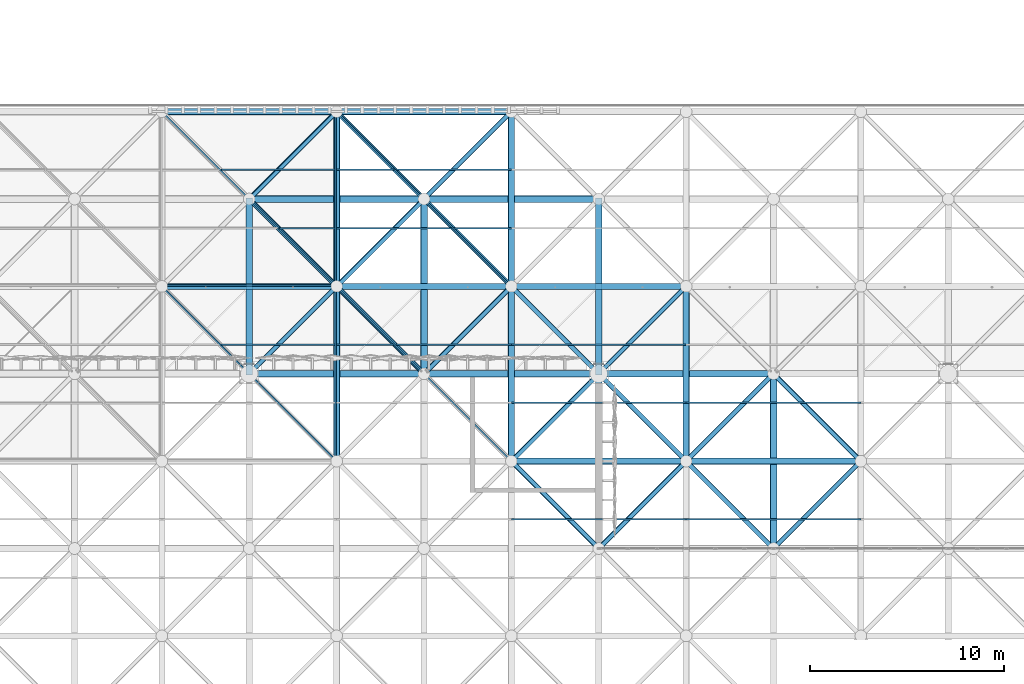
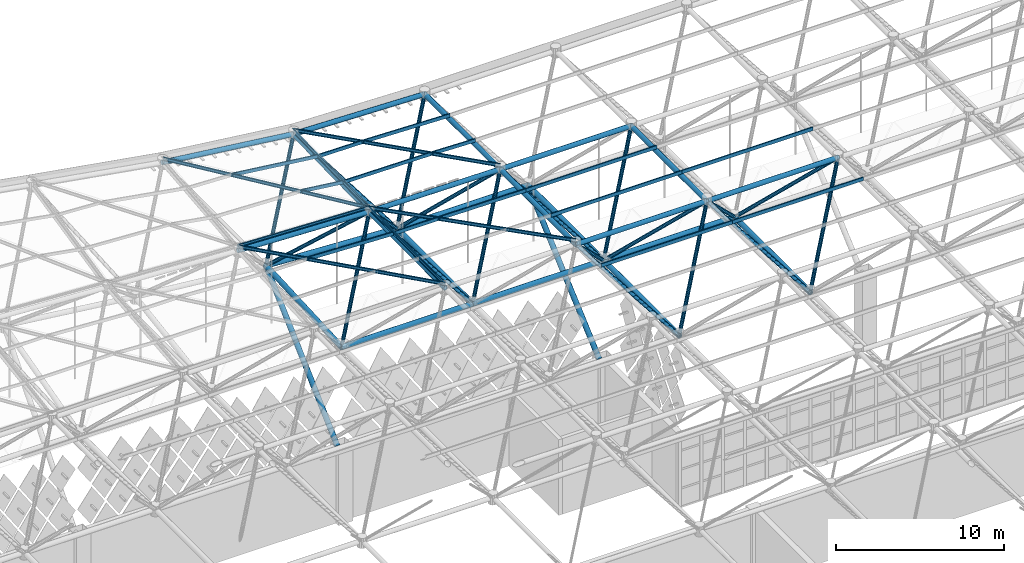
# One storey, part 162 of 437: 64 members.
"""IFC4 building model written with IfcOpenShell, lengths in metres."""

from ifc_helpers import new_model, si_unit, direction, frame, origin, origin_2d, place, context, subcontext, project, spatial, polyline, hollow_circle, outline, extrude, material, material_profile, profile_set, type_object, element, save


model = new_model("IFC4")

# Units and contexts
model_context = context("Model", 3, precision=1e-05, world=origin(), true_north=direction((0.0, 1.0)))
body_context = subcontext(model_context, "Body", "Model", "MODEL_VIEW")
ifc_project = project(units=[si_unit("LENGTHUNIT", "METRE"), si_unit("AREAUNIT", "SQUARE_METRE"), si_unit("VOLUMEUNIT", "CUBIC_METRE"), si_unit("PLANEANGLEUNIT", "RADIAN"), si_unit("MASSUNIT", "GRAM", prefix="KILO")], contexts=[model_context])

# Site, building, storey
site_placement = place(None, origin())
site = spatial("IfcSite", under=ifc_project, at=site_placement, CompositionType="ELEMENT")
building_placement = place(site_placement, origin())
building = spatial("IfcBuilding", under=site, at=building_placement, Name="Opaline Strait Convention Centre", CompositionType="ELEMENT")
storey_placement = place(building_placement, frame((0.0, 0.0, 11.5)))
storey = spatial("IfcBuildingStorey", under=building, at=storey_placement, Name="L02", CompositionType="ELEMENT", Elevation=11.5)

# Members
ifc_material = material(Name="Steel Q355B", Category="steel")
ifc_material_profile_1 = material_profile(ifc_material, hollow_circle(Radius=0.175537109375, WallThickness=0.01611328125, at=origin_2d()), Name="CHS 351x16")
ifc_profile_set_1 = profile_set([ifc_material_profile_1], Name="Steel Q355B")
member_type_1 = type_object("IfcMemberType", Name="Raking prop CHS 351x16", PredefinedType="BRACE", material=ifc_profile_set_1)
member_1_placement = place(storey_placement, frame((135.0, 153.51611328125, 5.014892578125), z_axis=(0.0, 0.72992125999, 0.683531238653), x_axis=(-1.0, 0.0, 0.0)))
element("IfcMember", 1, at=member_1_placement, inside=storey, type_object=member_type_1, Name="Raking prop 135/153 N", PredefinedType="BRACE", context=body_context, shape_type="SweptSolid", body=[
    extrude(hollow_circle(Radius=0.175537109375, WallThickness=0.01611328125, at=origin_2d()), origin(), (0.0, 0.0, 1.0), 11.6728515625),
])
member_2_placement = place(storey_placement, frame((153.0, 153.51611328125, 5.01416015625), z_axis=(0.0, 0.749834093781, 0.661625900191), x_axis=(-1.0, 0.0, 0.0)))
element("IfcMember", 2, at=member_2_placement, inside=storey, type_object=member_type_1, Name="Raking prop 153/153 N", PredefinedType="BRACE", context=body_context, shape_type="SweptSolid", body=[
    extrude(hollow_circle(Radius=0.175537109375, WallThickness=0.01611328125, at=origin_2d()), origin(), (0.0, 0.0, 1.0), 11.364501953125),
])
ifc_material_profile_2 = material_profile(ifc_material, outline(polyline([(-0.03759765625, -0.125), (0.03759765625, -0.125), (0.03759765625, -0.10498046875), (0.034912109375, -0.10498046875), (0.034912109375, -0.12255859375), (-0.034912109375, -0.12255859375), (-0.034912109375, 0.12255859375), (0.034912109375, 0.12255859375), (0.034912109375, 0.10498046875), (0.03759765625, 0.10498046875), (0.03759765625, 0.125), (-0.03759765625, 0.125), (-0.03759765625, -0.125)])), Name="C 250x75x20x2.5")
ifc_profile_set_2 = profile_set([ifc_material_profile_2], Name="Steel Q355B")
member_type_2 = type_object("IfcMemberType", Name="Roof purlin C 250x75x20x2.5", PredefinedType="PURLIN", material=ifc_profile_set_2)
for number, where, z_axis, x_axis, name in (
    (3, (148.5, 145.5, 18.257080078125), (1.0, 0.0, 0.0), (0.0, 1.0, 0.0), "EXB-RF-P-7-11-1"),
    (4, (157.5, 145.5, 18.257080078125), (1.0, 0.0, 0.0), (0.0, 1.0, 0.0), "EXB-RF-P-8-11-1"),
):
    element("IfcMember", number, at=place(storey_placement, frame(where, z_axis=z_axis, x_axis=x_axis)), inside=storey, type_object=member_type_2, Name=name, PredefinedType="PURLIN", context=body_context, shape_type="SweptSolid", body=[
        extrude(outline(polyline([(-0.03759765625, -0.125), (0.03759765625, -0.125), (0.03759765625, -0.10498046875), (0.034912109375, -0.10498046875), (0.034912109375, -0.12255859375), (-0.034912109375, -0.12255859375), (-0.034912109375, 0.12255859375), (0.034912109375, 0.12255859375), (0.034912109375, 0.10498046875), (0.03759765625, 0.10498046875), (0.03759765625, 0.125), (-0.03759765625, 0.125), (-0.03759765625, -0.125)])), origin(), (0.0, 0.0, 1.0), 9.0),
    ])
member_3_placement = place(storey_placement, frame((139.5, 148.5, 18.25537109375), z_axis=(-0.706754608869, 0.706754608869, 0.031557022738), x_axis=(-0.707458778193, -0.706051128284, -0.031525884719)))
element("IfcMember", 5, at=member_3_placement, inside=storey, type_object=member_type_2, Name="EXB-RF-F-5-12", PredefinedType="PURLIN", context=body_context, shape_type="SweptSolid", body=[
    extrude(outline(polyline([(-0.03759765625, -0.125), (0.03759765625, -0.125), (0.03759765625, -0.10498046875), (0.034912109375, -0.10498046875), (0.034912109375, -0.12255859375), (-0.034912109375, -0.12255859375), (-0.034912109375, 0.12255859375), (0.034912109375, 0.12255859375), (0.034912109375, 0.10498046875), (0.03759765625, 0.10498046875), (0.03759765625, 0.125), (-0.03759765625, 0.125), (-0.03759765625, -0.125)])), origin(), (0.0, 0.0, 1.0), 12.734375),
])
member_4_placement = place(storey_placement, frame((139.45556640625, 148.449951171875, 18.25830078125), z_axis=(0.0, 0.999973571083, 0.007270291296), x_axis=(-0.999302242213, -0.000271545984, 0.037349095988)))
element("IfcMember", 6, at=member_4_placement, inside=storey, type_object=member_type_2, Name="EXB-RF-E-5-12a", PredefinedType="PURLIN", context=body_context, shape_type="SweptSolid", body=[
    extrude(outline(polyline([(-0.03759765625, -0.125), (0.03759765625, -0.125), (0.03759765625, -0.10498046875), (0.034912109375, -0.10498046875), (0.034912109375, -0.12255859375), (-0.034912109375, -0.12255859375), (-0.034912109375, 0.12255859375), (0.034912109375, 0.12255859375), (0.034912109375, 0.10498046875), (0.03759765625, 0.10498046875), (0.03759765625, 0.125), (-0.03759765625, 0.125), (-0.03759765625, -0.125)])), origin(), (0.0, 0.0, 1.0), 9.100341796875),
])
member_5_placement = place(storey_placement, frame((133.550048828125, 154.5, 18.523193359375), z_axis=(0.999301908051, 0.0, -0.037359022553), x_axis=(0.00027176702, 0.999973540706, 0.007269389915)))
element("IfcMember", 7, at=member_5_placement, inside=storey, type_object=member_type_2, Name="EXB-RF-P-5-12-1a", PredefinedType="PURLIN", context=body_context, shape_type="SweptSolid", body=[
    extrude(outline(polyline([(-0.03759765625, -0.125), (0.03759765625, -0.125), (0.03759765625, -0.10498046875), (0.034912109375, -0.10498046875), (0.034912109375, -0.12255859375), (-0.034912109375, -0.12255859375), (-0.034912109375, 0.12255859375), (0.034912109375, 0.12255859375), (0.034912109375, 0.10498046875), (0.03759765625, 0.10498046875), (0.03759765625, 0.125), (-0.03759765625, 0.125), (-0.03759765625, -0.125)])), origin(), (0.0, 0.0, 1.0), 5.875),
])
member_6_placement = place(storey_placement, frame((148.5, 148.5, 18.256591796875), z_axis=(-0.7070974383, 0.7070974383, 0.005140573824), x_axis=(-0.707116123947, -0.707078731646, -0.005143394667)))
element("IfcMember", 8, at=member_6_placement, inside=storey, type_object=member_type_2, Name="EXB-RF-F-6-12", PredefinedType="PURLIN", context=body_context, shape_type="SweptSolid", body=[
    extrude(outline(polyline([(-0.03759765625, -0.125), (0.03759765625, -0.125), (0.03759765625, -0.10498046875), (0.034912109375, -0.10498046875), (0.034912109375, -0.12255859375), (-0.034912109375, -0.12255859375), (-0.034912109375, 0.12255859375), (0.034912109375, 0.12255859375), (0.034912109375, 0.10498046875), (0.03759765625, 0.10498046875), (0.03759765625, 0.125), (-0.03759765625, 0.125), (-0.03759765625, -0.125)])), origin(), (0.0, 0.0, 1.0), 12.72802734375),
])
member_7_placement = place(storey_placement, frame((142.550048828125, 154.5, 18.30029296875), z_axis=(0.999973627418, 0.0, -0.007262538757), x_axis=(0.0, 1.0, 0.0)))
element("IfcMember", 9, at=member_7_placement, inside=storey, type_object=member_type_2, Name="EXB-RF-P-6-12-1a", PredefinedType="PURLIN", context=body_context, shape_type="SweptSolid", body=[
    extrude(outline(polyline([(-0.03759765625, -0.125), (0.03759765625, -0.125), (0.03759765625, -0.10498046875), (0.034912109375, -0.10498046875), (0.034912109375, -0.12255859375), (-0.034912109375, -0.12255859375), (-0.034912109375, 0.12255859375), (0.034912109375, 0.12255859375), (0.034912109375, 0.10498046875), (0.03759765625, 0.10498046875), (0.03759765625, 0.125), (-0.03759765625, 0.125), (-0.03759765625, -0.125)])), origin(), (0.0, 0.0, 1.0), 5.9501953125),
])
member_8_placement = place(storey_placement, frame((139.5, 154.5, 18.300537109375), z_axis=(1.0, 0.0, 0.0), x_axis=(0.0, 0.999973540706, 0.007274468163)))
element("IfcMember", 10, at=member_8_placement, inside=storey, type_object=member_type_2, Name="EXB-RF-P-6-12-1b", PredefinedType="PURLIN", context=body_context, shape_type="SweptSolid", body=[
    extrude(outline(polyline([(-0.03759765625, -0.125), (0.03759765625, -0.125), (0.03759765625, -0.10498046875), (0.034912109375, -0.10498046875), (0.034912109375, -0.12255859375), (-0.034912109375, -0.12255859375), (-0.034912109375, 0.12255859375), (0.034912109375, 0.12255859375), (0.034912109375, 0.10498046875), (0.03759765625, 0.10498046875), (0.03759765625, 0.125), (-0.03759765625, 0.125), (-0.03759765625, -0.125)])), origin(), (0.0, 0.0, 1.0), 2.949951171875),
])
for number, where, z_axis, x_axis, name in (
    (11, (148.5, 151.5, 18.257080078125), (1.0, 0.0, 0.0), (0.0, 1.0, 0.0), "EXB-RF-P-7-12-0"),
    (12, (148.5, 154.5, 18.257080078125), (1.0, 0.0, 0.0), (0.0, 1.0, 0.0), "EXB-RF-P-7-12-1"),
    (13, (157.5, 151.5, 18.257080078125), (1.0, 0.0, 0.0), (0.0, 1.0, 0.0), "EXB-RF-P-8-12-0"),
):
    element("IfcMember", number, at=place(storey_placement, frame(where, z_axis=z_axis, x_axis=x_axis)), inside=storey, type_object=member_type_2, Name=name, PredefinedType="PURLIN", context=body_context, shape_type="SweptSolid", body=[
        extrude(outline(polyline([(-0.03759765625, -0.125), (0.03759765625, -0.125), (0.03759765625, -0.10498046875), (0.034912109375, -0.10498046875), (0.034912109375, -0.12255859375), (-0.034912109375, -0.12255859375), (-0.034912109375, 0.12255859375), (0.034912109375, 0.12255859375), (0.034912109375, 0.10498046875), (0.03759765625, 0.10498046875), (0.03759765625, 0.125), (-0.03759765625, 0.125), (-0.03759765625, -0.125)])), origin(), (0.0, 0.0, 1.0), 9.0),
    ])
member_9_placement = place(storey_placement, frame((139.5, 157.5, 18.31982421875), z_axis=(-0.703588662414, 0.703588662414, 0.099629253955), x_axis=(-0.709635656361, -0.703016428471, -0.046745443856)))
element("IfcMember", 14, at=member_9_placement, inside=storey, type_object=member_type_2, Name="EXB-RF-F-5-13", PredefinedType="PURLIN", context=body_context, shape_type="SweptSolid", body=[
    extrude(outline(polyline([(-0.03759765625, -0.125), (0.03759765625, -0.125), (0.03759765625, -0.10498046875), (0.034912109375, -0.10498046875), (0.034912109375, -0.12255859375), (-0.034912109375, -0.12255859375), (-0.034912109375, 0.12255859375), (0.034912109375, 0.12255859375), (0.034912109375, 0.10498046875), (0.03759765625, 0.10498046875), (0.03759765625, 0.125), (-0.03759765625, 0.125), (-0.03759765625, -0.125)])), origin(), (0.0, 0.0, 1.0), 12.79150390625),
])
member_10_placement = place(storey_placement, frame((139.445556640625, 157.449951171875, 18.328857421875), z_axis=(0.0, 0.999783359176, 0.020814291107), x_axis=(-0.992786458004, -0.002495550072, 0.119870017244)))
element("IfcMember", 15, at=member_10_placement, inside=storey, type_object=member_type_2, Name="EXB-RF-E-5-13a", PredefinedType="PURLIN", context=body_context, shape_type="SweptSolid", body=[
    extrude(outline(polyline([(-0.03759765625, -0.125), (0.03759765625, -0.125), (0.03759765625, -0.10498046875), (0.034912109375, -0.10498046875), (0.034912109375, -0.12255859375), (-0.034912109375, -0.12255859375), (-0.034912109375, 0.12255859375), (0.034912109375, 0.12255859375), (0.034912109375, 0.10498046875), (0.03759765625, 0.10498046875), (0.03759765625, 0.125), (-0.03759765625, 0.125), (-0.03759765625, -0.125)])), origin(), (0.0, 0.0, 1.0), 9.10205078125),
])
member_11_placement = place(storey_placement, frame((136.550048828125, 160.5, 18.7421875), z_axis=(0.992779097377, 0.0, -0.119956924813), x_axis=(0.002495024152, 0.999783670452, 0.020649144093)))
element("IfcMember", 16, at=member_11_placement, inside=storey, type_object=member_type_2, Name="EXB-RF-P-5-13-0a", PredefinedType="PURLIN", context=body_context, shape_type="SweptSolid", body=[
    extrude(outline(polyline([(-0.03759765625, -0.125), (0.03759765625, -0.125), (0.03759765625, -0.10498046875), (0.034912109375, -0.10498046875), (0.034912109375, -0.12255859375), (-0.034912109375, -0.12255859375), (-0.034912109375, 0.12255859375), (0.034912109375, 0.12255859375), (0.034912109375, 0.10498046875), (0.03759765625, 0.10498046875), (0.03759765625, 0.125), (-0.03759765625, 0.125), (-0.03759765625, -0.125)])), origin(), (0.0, 0.0, 1.0), 2.8818359375),
])
member_12_placement = place(storey_placement, frame((133.550048828125, 163.5, 19.1669921875), z_axis=(0.992782800113, 0.0, -0.119926276516), x_axis=(0.002494386688, 0.999783670452, 0.020649221107)))
element("IfcMember", 17, at=member_12_placement, inside=storey, type_object=member_type_2, Name="EXB-RF-P-5-13-1a", PredefinedType="PURLIN", context=body_context, shape_type="SweptSolid", body=[
    extrude(outline(polyline([(-0.03759765625, -0.125), (0.03759765625, -0.125), (0.03759765625, -0.10498046875), (0.034912109375, -0.10498046875), (0.034912109375, -0.12255859375), (-0.034912109375, -0.12255859375), (-0.034912109375, 0.12255859375), (0.034912109375, 0.12255859375), (0.034912109375, 0.10498046875), (0.03759765625, 0.10498046875), (0.03759765625, 0.125), (-0.03759765625, 0.125), (-0.03759765625, -0.125)])), origin(), (0.0, 0.0, 1.0), 5.90380859375),
])
member_13_placement = place(storey_placement, frame((139.550048828125, 157.552490234375, 18.326416015625), z_axis=(-0.999302401392, 0.0, 0.037345824037), x_axis=(-0.003868565413, -0.994620331005, -0.103515367712)))
element("IfcMember", 18, at=member_13_placement, inside=storey, type_object=member_type_2, Name="EXB-RF-E-5-13b", PredefinedType="PURLIN", context=body_context, shape_type="SweptSolid", body=[
    extrude(outline(polyline([(-0.03759765625, -0.125), (0.03759765625, -0.125), (0.03759765625, -0.10498046875), (0.034912109375, -0.10498046875), (0.034912109375, -0.12255859375), (-0.034912109375, -0.12255859375), (-0.034912109375, 0.12255859375), (0.034912109375, 0.12255859375), (0.034912109375, 0.10498046875), (0.03759765625, 0.10498046875), (0.03759765625, 0.125), (-0.03759765625, 0.125), (-0.03759765625, -0.125)])), origin(), (0.0, 0.0, 1.0), 9.1064453125),
])
member_14_placement = place(storey_placement, frame((148.5, 157.5, 18.256103515625), z_axis=(-0.706967474347, 0.706967474347, 0.01984894032), x_axis=(-0.707208676567, -0.706940201705, -0.009562374229)))
element("IfcMember", 19, at=member_14_placement, inside=storey, type_object=member_type_2, Name="EXB-RF-F-6-13", PredefinedType="PURLIN", context=body_context, shape_type="SweptSolid", body=[
    extrude(outline(polyline([(-0.03759765625, -0.125), (0.03759765625, -0.125), (0.03759765625, -0.10498046875), (0.034912109375, -0.10498046875), (0.034912109375, -0.12255859375), (-0.034912109375, -0.12255859375), (-0.034912109375, 0.12255859375), (0.034912109375, 0.12255859375), (0.034912109375, 0.10498046875), (0.03759765625, 0.10498046875), (0.03759765625, 0.125), (-0.03759765625, 0.125), (-0.03759765625, -0.125)])), origin(), (0.0, 0.0, 1.0), 12.73046875),
])
member_15_placement = place(storey_placement, frame((145.550048828125, 160.5, 18.33984375), z_axis=(0.999606664128, 0.0, -0.028044910961), x_axis=(0.0, 1.0, 0.0)))
element("IfcMember", 20, at=member_15_placement, inside=storey, type_object=member_type_2, Name="EXB-RF-P-6-13-0a", PredefinedType="PURLIN", context=body_context, shape_type="SweptSolid", body=[
    extrude(outline(polyline([(-0.03759765625, -0.125), (0.03759765625, -0.125), (0.03759765625, -0.10498046875), (0.034912109375, -0.10498046875), (0.034912109375, -0.12255859375), (-0.034912109375, -0.12255859375), (-0.034912109375, 0.12255859375), (0.034912109375, 0.12255859375), (0.034912109375, 0.10498046875), (0.03759765625, 0.10498046875), (0.03759765625, 0.125), (-0.03759765625, 0.125), (-0.03759765625, -0.125)])), origin(), (0.0, 0.0, 1.0), 2.951171875),
])
member_16_placement = place(storey_placement, frame((142.550048828125, 163.5, 18.424072265625), z_axis=(0.999606378304, 0.0, -0.028055096744), x_axis=(0.0, 1.0, 0.0)))
element("IfcMember", 21, at=member_16_placement, inside=storey, type_object=member_type_2, Name="EXB-RF-P-6-13-1a", PredefinedType="PURLIN", context=body_context, shape_type="SweptSolid", body=[
    extrude(outline(polyline([(-0.03759765625, -0.125), (0.03759765625, -0.125), (0.03759765625, -0.10498046875), (0.034912109375, -0.10498046875), (0.034912109375, -0.12255859375), (-0.034912109375, -0.12255859375), (-0.034912109375, 0.12255859375), (0.034912109375, 0.12255859375), (0.034912109375, 0.10498046875), (0.03759765625, 0.10498046875), (0.03759765625, 0.125), (-0.03759765625, 0.125), (-0.03759765625, -0.125)])), origin(), (0.0, 0.0, 1.0), 5.952392578125),
])
member_17_placement = place(storey_placement, frame((139.5, 160.5, 18.385009765625), z_axis=(0.999973328593, 0.0, -0.007303567867), x_axis=(0.000151909348, 0.999783670452, 0.020798779311)))
element("IfcMember", 22, at=member_17_placement, inside=storey, type_object=member_type_2, Name="EXB-RF-P-6-13-0b", PredefinedType="PURLIN", context=body_context, shape_type="SweptSolid", body=[
    extrude(outline(polyline([(-0.03759765625, -0.125), (0.03759765625, -0.125), (0.03759765625, -0.10498046875), (0.034912109375, -0.10498046875), (0.034912109375, -0.12255859375), (-0.034912109375, -0.12255859375), (-0.034912109375, 0.12255859375), (0.034912109375, 0.12255859375), (0.034912109375, 0.10498046875), (0.03759765625, 0.10498046875), (0.03759765625, 0.125), (-0.03759765625, 0.125), (-0.03759765625, -0.125)])), origin(), (0.0, 0.0, 1.0), 5.9501953125),
])
member_18_placement = place(storey_placement, frame((139.5, 163.5, 18.447265625), z_axis=(0.999973480305, 0.0, -0.007282766388), x_axis=(0.000151476691, 0.999783670452, 0.020798782467)))
element("IfcMember", 23, at=member_18_placement, inside=storey, type_object=member_type_2, Name="EXB-RF-P-6-13-1b", PredefinedType="PURLIN", context=body_context, shape_type="SweptSolid", body=[
    extrude(outline(polyline([(-0.03759765625, -0.125), (0.03759765625, -0.125), (0.03759765625, -0.10498046875), (0.034912109375, -0.10498046875), (0.034912109375, -0.12255859375), (-0.034912109375, -0.12255859375), (-0.034912109375, 0.12255859375), (0.034912109375, 0.12255859375), (0.034912109375, 0.10498046875), (0.03759765625, 0.10498046875), (0.03759765625, 0.125), (-0.03759765625, 0.125), (-0.03759765625, -0.125)])), origin(), (0.0, 0.0, 1.0), 2.949951171875),
])
ifc_material_profile_3 = material_profile(ifc_material, hollow_circle(Radius=0.175537109375, WallThickness=0.01611328125, at=origin_2d()), Name="CHS 351x16")
ifc_profile_set_3 = profile_set([ifc_material_profile_3], Name="Steel Q355B")
member_type_3 = type_object("IfcMemberType", Name="Space frame bottom chord CHS 351x16", PredefinedType="CHORD", material=ifc_profile_set_3)
for number, where, z_axis, x_axis, name in (
    (24, (134.949951171875, 153.0, 12.5), (1.0, 0.0, 0.0), (0.0, 1.0, 0.0), "EXB-RF-BX-5-12"),
    (25, (143.949951171875, 153.0, 12.5), (1.0, 0.0, 0.0), (0.0, 1.0, 0.0), "EXB-RF-BX-6-12"),
    (26, (152.949951171875, 153.0, 12.5), (1.0, 0.0, 0.0), (0.0, 1.0, 0.0), "EXB-RF-BX-7-12"),
):
    element("IfcMember", number, at=place(storey_placement, frame(where, z_axis=z_axis, x_axis=x_axis)), inside=storey, type_object=member_type_3, Name=name, PredefinedType="CHORD", context=body_context, shape_type="SweptSolid", body=[
        extrude(hollow_circle(Radius=0.175537109375, WallThickness=0.01611328125, at=origin_2d()), origin(), (0.0, 0.0, 1.0), 9.10009765625),
    ])
member_19_placement = place(storey_placement, frame((134.949951171875, 162.0, 12.9619140625), z_axis=(0.998749263269, 0.0, -0.049999091197), x_axis=(0.0, 1.0, 0.0)))
element("IfcMember", 27, at=member_19_placement, inside=storey, type_object=member_type_3, Name="EXB-RF-BX-5-13", PredefinedType="CHORD", context=body_context, shape_type="SweptSolid", body=[
    extrude(hollow_circle(Radius=0.175537109375, WallThickness=0.01611328125, at=origin_2d()), origin(), (0.0, 0.0, 1.0), 9.111572265625),
])
member_20_placement = place(storey_placement, frame((143.949951171875, 162.0, 12.509033203125), z_axis=(0.999999507324, 0.0, -0.000992648542), x_axis=(0.0, 1.0, 0.0)))
element("IfcMember", 28, at=member_20_placement, inside=storey, type_object=member_type_3, Name="EXB-RF-BX-6-13", PredefinedType="CHORD", context=body_context, shape_type="SweptSolid", body=[
    extrude(hollow_circle(Radius=0.175537109375, WallThickness=0.01611328125, at=origin_2d()), origin(), (0.0, 0.0, 1.0), 9.10009765625),
])
member_21_placement = place(storey_placement, frame((135.0, 152.949951171875, 12.49755859375), z_axis=(0.0, 0.998700632728, 0.050961222392), x_axis=(-1.0, 0.0, 0.0)))
element("IfcMember", 29, at=member_21_placement, inside=storey, type_object=member_type_3, Name="EXB-RF-BY-5-12", PredefinedType="CHORD", context=body_context, shape_type="SweptSolid", body=[
    extrude(hollow_circle(Radius=0.175537109375, WallThickness=0.01611328125, at=origin_2d()), origin(), (0.0, 0.0, 1.0), 9.11181640625),
])
for number, where, z_axis, x_axis, name in (
    (30, (144.0, 152.949951171875, 12.5), (0.0, 0.999999507324, 0.000992648542), (-1.0, 0.0, 0.0), "EXB-RF-BY-6-12"),
    (31, (153.0, 143.949951171875, 12.5), (0.0, 1.0, 0.0), (-1.0, 0.0, 0.0), "EXB-RF-BY-7-11"),
    (32, (153.0, 152.949951171875, 12.5), (0.0, 1.0, 0.0), (-1.0, 0.0, 0.0), "EXB-RF-BY-7-12"),
    (33, (162.0, 143.949951171875, 12.5), (0.0, 1.0, 0.0), (-1.0, 0.0, 0.0), "EXB-RF-BY-8-11"),
):
    element("IfcMember", number, at=place(storey_placement, frame(where, z_axis=z_axis, x_axis=x_axis)), inside=storey, type_object=member_type_3, Name=name, PredefinedType="CHORD", context=body_context, shape_type="SweptSolid", body=[
        extrude(hollow_circle(Radius=0.175537109375, WallThickness=0.01611328125, at=origin_2d()), origin(), (0.0, 0.0, 1.0), 9.10009765625),
    ])
ifc_material_profile_4 = material_profile(ifc_material, hollow_circle(Radius=0.16259765625, WallThickness=0.013916015625, at=origin_2d()), Name="CHS 325x14")
ifc_profile_set_4 = profile_set([ifc_material_profile_4], Name="Steel Q355B")
member_type_4 = type_object("IfcMemberType", Name="Space frame top chord CHS 325x14", PredefinedType="CHORD", material=ifc_profile_set_4)
member_22_placement = place(storey_placement, frame((139.449951171875, 166.5, 18.2255859375), z_axis=(0.999606481677, 0.0, -0.028051413313), x_axis=(0.0, 1.0, 0.0)))
element("IfcMember", 34, at=member_22_placement, inside=storey, type_object=member_type_4, Name="EXB-RF-TX-6-14", PredefinedType="CHORD", context=body_context, shape_type="SweptSolid", body=[
    extrude(hollow_circle(Radius=0.16259765625, WallThickness=0.013916015625, at=origin_2d()), origin(), (0.0, 0.0, 1.0), 9.103759765625),
])
ifc_material_profile_5 = material_profile(ifc_material, hollow_circle(Radius=0.16259765625, WallThickness=0.02001953125, at=origin_2d()), Name="CHS 325x20")
ifc_profile_set_5 = profile_set([ifc_material_profile_5], Name="Steel Q355B")
member_type_5 = type_object("IfcMemberType", Name="Space frame top chord CHS 325x20", PredefinedType="CHORD", material=ifc_profile_set_5)
for number, where, z_axis, x_axis, name in (
    (35, (148.449951171875, 148.5, 17.971435546875), (1.0, 0.0, 0.0), (0.0, 1.0, 0.0), "EXB-RF-TX-7-12"),
    (36, (157.449951171875, 148.5, 17.971435546875), (1.0, 0.0, 0.0), (0.0, 1.0, 0.0), "EXB-RF-TX-8-12"),
):
    element("IfcMember", number, at=place(storey_placement, frame(where, z_axis=z_axis, x_axis=x_axis)), inside=storey, type_object=member_type_5, Name=name, PredefinedType="CHORD", context=body_context, shape_type="SweptSolid", body=[
        extrude(hollow_circle(Radius=0.16259765625, WallThickness=0.02001953125, at=origin_2d()), origin(), (0.0, 0.0, 1.0), 9.10009765625),
    ])
member_23_placement = place(storey_placement, frame((130.449951171875, 157.5, 18.375244140625), z_axis=(0.999302401392, 0.0, -0.037345824037), x_axis=(0.0, 1.0, 0.0)))
element("IfcMember", 37, at=member_23_placement, inside=storey, type_object=member_type_5, Name="EXB-RF-TX-5-13", PredefinedType="CHORD", context=body_context, shape_type="SweptSolid", body=[
    extrude(hollow_circle(Radius=0.16259765625, WallThickness=0.02001953125, at=origin_2d()), origin(), (0.0, 0.0, 1.0), 9.1064453125),
])
member_24_placement = place(storey_placement, frame((139.449951171875, 157.5, 18.037353515625), z_axis=(0.999973571083, 0.0, -0.007270291296), x_axis=(0.0, 1.0, 0.0)))
element("IfcMember", 38, at=member_24_placement, inside=storey, type_object=member_type_5, Name="EXB-RF-TX-6-13", PredefinedType="CHORD", context=body_context, shape_type="SweptSolid", body=[
    extrude(hollow_circle(Radius=0.16259765625, WallThickness=0.02001953125, at=origin_2d()), origin(), (0.0, 0.0, 1.0), 9.100341796875),
])
member_25_placement = place(storey_placement, frame((148.449951171875, 157.5, 17.971435546875), z_axis=(1.0, 0.0, 0.0), x_axis=(0.0, 1.0, 0.0)))
element("IfcMember", 39, at=member_25_placement, inside=storey, type_object=member_type_5, Name="EXB-RF-TX-7-13", PredefinedType="CHORD", context=body_context, shape_type="SweptSolid", body=[
    extrude(hollow_circle(Radius=0.16259765625, WallThickness=0.02001953125, at=origin_2d()), origin(), (0.0, 0.0, 1.0), 9.10009765625),
])
member_26_placement = place(storey_placement, frame((130.450439453125, 166.5, 19.3173828125), z_axis=(0.992783260631, 0.0, -0.119922464163), x_axis=(0.0, 1.0, 0.0)))
element("IfcMember", 40, at=member_26_placement, inside=storey, type_object=member_type_5, Name="EXB-RF-TX-5-14", PredefinedType="CHORD", context=body_context, shape_type="SweptSolid", body=[
    extrude(hollow_circle(Radius=0.16259765625, WallThickness=0.02001953125, at=origin_2d()), origin(), (0.0, 0.0, 1.0), 9.165283203125),
])
member_27_placement = place(storey_placement, frame((139.5, 148.449951171875, 17.97119140625), z_axis=(0.0, 0.999973571083, 0.007270291296), x_axis=(-1.0, 0.0, 0.0)))
element("IfcMember", 41, at=member_27_placement, inside=storey, type_object=member_type_5, Name="EXB-RF-TY-6-12", PredefinedType="CHORD", context=body_context, shape_type="SweptSolid", body=[
    extrude(hollow_circle(Radius=0.16259765625, WallThickness=0.02001953125, at=origin_2d()), origin(), (0.0, 0.0, 1.0), 9.100341796875),
])
member_28_placement = place(storey_placement, frame((139.5, 157.449951171875, 18.035888671875), z_axis=(0.0, 0.999783359176, 0.020814291107), x_axis=(-1.0, 0.0, 0.0)))
element("IfcMember", 42, at=member_28_placement, inside=storey, type_object=member_type_5, Name="EXB-RF-TY-6-13", PredefinedType="CHORD", context=body_context, shape_type="SweptSolid", body=[
    extrude(hollow_circle(Radius=0.16259765625, WallThickness=0.02001953125, at=origin_2d()), origin(), (0.0, 0.0, 1.0), 9.10205078125),
])
for number, where, z_axis, x_axis, name in (
    (43, (148.5, 148.449951171875, 17.971435546875), (0.0, 1.0, 0.0), (-1.0, 0.0, 0.0), "EXB-RF-TY-7-12"),
    (44, (148.5, 157.449951171875, 17.971435546875), (0.0, 1.0, 0.0), (-1.0, 0.0, 0.0), "EXB-RF-TY-7-13"),
    (45, (157.5, 148.449951171875, 17.971435546875), (0.0, 1.0, 0.0), (-1.0, 0.0, 0.0), "EXB-RF-TY-8-12"),
):
    element("IfcMember", number, at=place(storey_placement, frame(where, z_axis=z_axis, x_axis=x_axis)), inside=storey, type_object=member_type_5, Name=name, PredefinedType="CHORD", context=body_context, shape_type="SweptSolid", body=[
        extrude(hollow_circle(Radius=0.16259765625, WallThickness=0.02001953125, at=origin_2d()), origin(), (0.0, 0.0, 1.0), 9.10009765625),
    ])
ifc_material_profile_6 = material_profile(ifc_material, hollow_circle(Radius=0.12255859375, WallThickness=0.011962890625, at=origin_2d()), Name="CHS 245x12")
ifc_profile_set_6 = profile_set([ifc_material_profile_6], Name="Steel Q355B")
member_type_6 = type_object("IfcMemberType", Name="Space frame web CHS 245x12", PredefinedType="BRACE", material=ifc_profile_set_6)
member_29_placement = place(storey_placement, frame((139.526611328125, 157.526611328125, 18.06982421875), z_axis=(-0.533455011951, -0.533455011951, -0.65639279433), x_axis=(0.707106781187, -0.707106781187, 0.0)))
element("IfcMember", 46, at=member_29_placement, inside=storey, type_object=member_type_6, Name="EXB-RF-W-5-12-11", PredefinedType="BRACE", context=body_context, shape_type="SweptSolid", body=[
    extrude(hollow_circle(Radius=0.12255859375, WallThickness=0.011962890625, at=origin_2d()), origin(), (0.0, 0.0, 1.0), 8.535400390625),
])
member_30_placement = place(storey_placement, frame((139.527587890625, 157.472412109375, 18.068115234375), z_axis=(-0.552730589909, 0.552730589909, -0.623680839819), x_axis=(-0.707106781187, -0.707106781187, 0.0)))
element("IfcMember", 47, at=member_30_placement, inside=storey, type_object=member_type_6, Name="EXB-RF-W-5-13-10", PredefinedType="BRACE", context=body_context, shape_type="SweptSolid", body=[
    extrude(hollow_circle(Radius=0.12255859375, WallThickness=0.011962890625, at=origin_2d()), origin(), (0.0, 0.0, 1.0), 8.2412109375),
])
member_31_placement = place(storey_placement, frame((139.52734375, 166.52734375, 18.256103515625), z_axis=(-0.544839052131, -0.544839052131, -0.637417300162), x_axis=(0.707106781187, -0.707106781187, 0.0)))
element("IfcMember", 48, at=member_31_placement, inside=storey, type_object=member_type_6, Name="EXB-RF-W-5-13-11", PredefinedType="BRACE", context=body_context, shape_type="SweptSolid", body=[
    extrude(hollow_circle(Radius=0.12255859375, WallThickness=0.011962890625, at=origin_2d()), origin(), (0.0, 0.0, 1.0), 8.359619140625),
])
member_32_placement = place(storey_placement, frame((139.473388671875, 157.526611328125, 18.06982421875), z_axis=(0.533455011951, -0.533455011951, -0.65639279433), x_axis=(0.707106781187, 0.707106781187, 0.0)))
element("IfcMember", 49, at=member_32_placement, inside=storey, type_object=member_type_6, Name="EXB-RF-W-6-12-01", PredefinedType="BRACE", context=body_context, shape_type="SweptSolid", body=[
    extrude(hollow_circle(Radius=0.12255859375, WallThickness=0.011962890625, at=origin_2d()), origin(), (0.0, 0.0, 1.0), 8.535400390625),
])
member_33_placement = place(storey_placement, frame((148.52685546875, 157.52685546875, 18.004150390625), z_axis=(-0.536178220346, -0.536178220346, -0.6519400525), x_axis=(0.707106781187, -0.707106781187, 0.0)))
element("IfcMember", 50, at=member_33_placement, inside=storey, type_object=member_type_6, Name="EXB-RF-W-6-12-11", PredefinedType="BRACE", context=body_context, shape_type="SweptSolid", body=[
    extrude(hollow_circle(Radius=0.12255859375, WallThickness=0.011962890625, at=origin_2d()), origin(), (0.0, 0.0, 1.0), 8.492919921875),
])
member_34_placement = place(storey_placement, frame((139.473388671875, 157.473388671875, 18.06982421875), z_axis=(0.533815659116, 0.533815659116, -0.655806133065), x_axis=(-0.707106781187, 0.707106781187, 0.0)))
element("IfcMember", 51, at=member_34_placement, inside=storey, type_object=member_type_6, Name="EXB-RF-W-6-13-00", PredefinedType="BRACE", context=body_context, shape_type="SweptSolid", body=[
    extrude(hollow_circle(Radius=0.12255859375, WallThickness=0.011962890625, at=origin_2d()), origin(), (0.0, 0.0, 1.0), 8.529541015625),
])
member_35_placement = place(storey_placement, frame((139.4736328125, 166.5263671875, 18.257568359375), z_axis=(0.526104118991, -0.526104118991, -0.668153359613), x_axis=(0.707106781187, 0.707106781187, 0.0)))
element("IfcMember", 52, at=member_35_placement, inside=storey, type_object=member_type_6, Name="EXB-RF-W-6-13-01", PredefinedType="BRACE", context=body_context, shape_type="SweptSolid", body=[
    extrude(hollow_circle(Radius=0.12255859375, WallThickness=0.011962890625, at=origin_2d()), origin(), (0.0, 0.0, 1.0), 8.653564453125),
])
for number, where, z_axis, x_axis, name in (
    (53, (148.52685546875, 157.47314453125, 18.004150390625), (-0.536550097538, 0.536550097538, -0.651327863417), (-0.707106781187, -0.707106781187, 0.0), "EXB-RF-W-6-13-10"),
    (54, (148.52685546875, 166.52685546875, 18.004150390625), (-0.536550097538, -0.536550097538, -0.651327863417), (0.707106781187, -0.707106781187, 0.0), "EXB-RF-W-6-13-11"),
):
    element("IfcMember", number, at=place(storey_placement, frame(where, z_axis=z_axis, x_axis=x_axis)), inside=storey, type_object=member_type_6, Name=name, PredefinedType="BRACE", context=body_context, shape_type="SweptSolid", body=[
        extrude(hollow_circle(Radius=0.12255859375, WallThickness=0.011962890625, at=origin_2d()), origin(), (0.0, 0.0, 1.0), 8.487060546875),
    ])
for number, where, z_axis, x_axis, name in (
    (55, (148.47314453125, 148.52685546875, 18.004150390625), (0.536178220346, -0.536178220346, -0.6519400525), (0.707106781187, 0.707106781187, 0.0), "EXB-RF-W-7-11-01"),
    (56, (157.52685546875, 148.52685546875, 18.004150390625), (-0.536178220346, -0.536178220346, -0.6519400525), (0.707106781187, -0.707106781187, 0.0), "EXB-RF-W-7-11-11"),
    (57, (148.47314453125, 148.47314453125, 18.004150390625), (0.536178220346, 0.536178220346, -0.6519400525), (-0.707106781187, 0.707106781187, 0.0), "EXB-RF-W-7-12-00"),
    (58, (148.47314453125, 157.52685546875, 18.004150390625), (0.536178220346, -0.536178220346, -0.6519400525), (0.707106781187, 0.707106781187, 0.0), "EXB-RF-W-7-12-01"),
    (59, (157.52685546875, 148.47314453125, 18.004150390625), (-0.536178220346, 0.536178220346, -0.6519400525), (-0.707106781187, -0.707106781187, 0.0), "EXB-RF-W-7-12-10"),
    (60, (157.52685546875, 157.52685546875, 18.004150390625), (-0.536178220346, -0.536178220346, -0.6519400525), (0.707106781187, -0.707106781187, 0.0), "EXB-RF-W-7-12-11"),
    (61, (157.47314453125, 148.52685546875, 18.004150390625), (0.536178220346, -0.536178220346, -0.6519400525), (0.707106781187, 0.707106781187, 0.0), "EXB-RF-W-8-11-01"),
    (62, (166.52685546875, 148.52685546875, 18.004150390625), (-0.536178220346, -0.536178220346, -0.6519400525), (0.707106781187, -0.707106781187, 0.0), "EXB-RF-W-8-11-11"),
    (63, (157.47314453125, 148.47314453125, 18.004150390625), (0.536178220346, 0.536178220346, -0.6519400525), (-0.707106781187, 0.707106781187, 0.0), "EXB-RF-W-8-12-00"),
    (64, (166.52685546875, 148.47314453125, 18.004150390625), (-0.536178220346, 0.536178220346, -0.6519400525), (-0.707106781187, -0.707106781187, 0.0), "EXB-RF-W-8-12-10"),
):
    element("IfcMember", number, at=place(storey_placement, frame(where, z_axis=z_axis, x_axis=x_axis)), inside=storey, type_object=member_type_6, Name=name, PredefinedType="BRACE", context=body_context, shape_type="SweptSolid", body=[
        extrude(hollow_circle(Radius=0.12255859375, WallThickness=0.011962890625, at=origin_2d()), origin(), (0.0, 0.0, 1.0), 8.492919921875),
    ])

save(model, "model.ifc")
